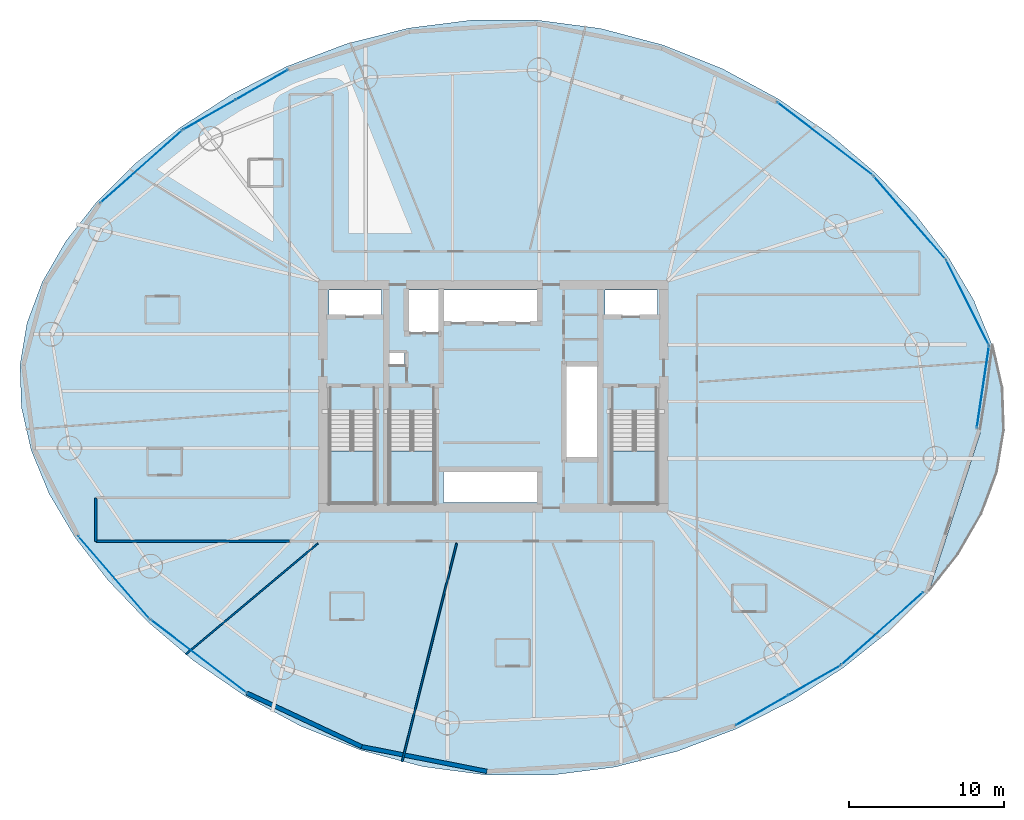
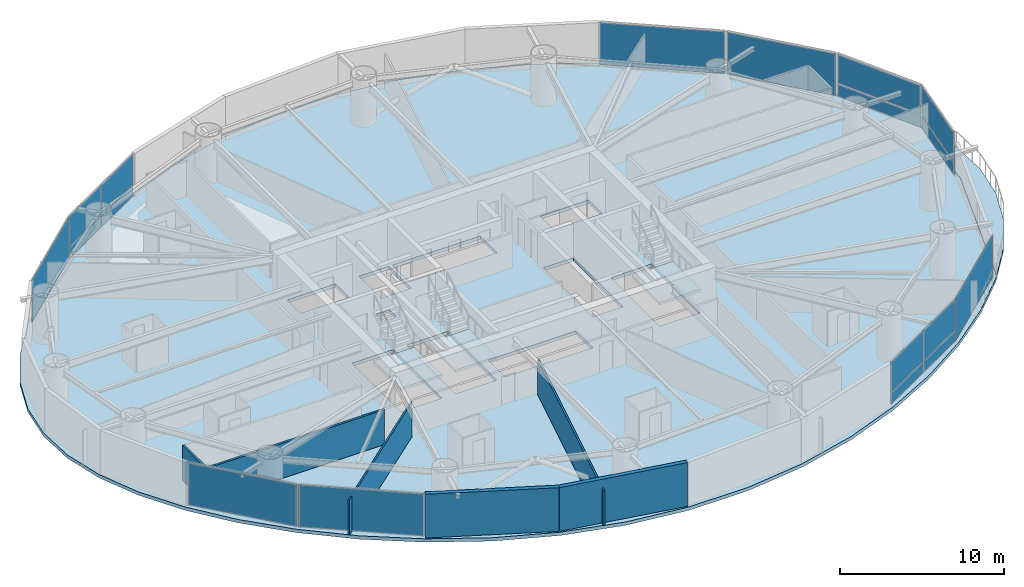
# One storey, part 18 of 26: 18 plates, 6 walls, 5 slabs, 13 elements without a shape of their own.
"""IFC4 building model written with IfcOpenShell, lengths in metres."""

import ifcopenshell
import ifcopenshell.guid

model = None  # the IFC model being written
_history = None  # IfcOwnerHistory: only IFC2X3 demands one
_inside = {}  # id of a spatial element -> (the spatial element, [elements in it])
_under = {}  # id of a project, library or spatial element -> (it, [spatial elements below it])
_declared = {}  # id of a project -> (the project, [libraries it declares])
_typed = {}  # id of a type object -> (the type object, [elements of that type])
_made_of = {}  # id of a material, layer set ... -> (it, [elements and type objects made of it])


def new_model(schema):
    """Start an empty IFC model of exactly this schema.

    Asked for "IFC4X3", IfcOpenShell would pick the latest addendum, in which some entities
    have other attributes; the version numbers below select the first issue.
    IFC2X3 requires an IfcOwnerHistory on every rooted entity: one is made here for all.
    """
    global model, _history
    if schema == "IFC4X3":
        model = ifcopenshell.file(schema_version=(4, 3, 0, 0))
    else:
        model = ifcopenshell.file(schema=schema)
    _inside.clear()
    _under.clear()
    _declared.clear()
    _typed.clear()
    _made_of.clear()
    _history = None
    if model.schema == "IFC2X3":
        org = make("IfcOrganization", Name="unknown")
        user = make(
            "IfcPersonAndOrganization",
            ThePerson=make("IfcPerson", FamilyName="unknown"),
            TheOrganization=org,
        )
        app = make(
            "IfcApplication",
            ApplicationDeveloper=org,
            Version="unknown",
            ApplicationFullName="unknown",
            ApplicationIdentifier="unknown",
        )
        _history = make(
            "IfcOwnerHistory",
            OwningUser=user,
            OwningApplication=app,
            ChangeAction="ADDED",
            CreationDate=0,
        )
    return model


def make(cls, **values):
    """One entity of the class cls with the attributes given. An attribute that is None is left unset."""
    return model.create_entity(
        cls, **{name: value for name, value in values.items() if value is not None}
    )


def rooted(cls, **values):
    """An entity with a GlobalId (a new one), such as an element, a storey or a relation."""
    return make(cls, GlobalId=ifcopenshell.guid.new(), OwnerHistory=_history, **values)


def si_unit(unit_type, name, prefix=None):
    """IfcSIUnit, for example si_unit("LENGTHUNIT", "METRE", prefix="MILLI")."""
    return make("IfcSIUnit", UnitType=unit_type, Prefix=prefix, Name=name)


def assignment(units):
    """IfcUnitAssignment: the units of a project."""
    return None if units is None else make("IfcUnitAssignment", Units=units)


def point(xyz):
    """IfcCartesianPoint."""
    return None if xyz is None else make("IfcCartesianPoint", Coordinates=xyz)


def direction(xyz):
    """IfcDirection."""
    return None if xyz is None else make("IfcDirection", DirectionRatios=xyz)


def frame(location, z_axis=None, x_axis=None):
    """IfcAxis2Placement3D, a coordinate frame: its origin and axes. An axis left out is left unset."""
    return make(
        "IfcAxis2Placement3D",
        Location=point(location),
        Axis=direction(z_axis),
        RefDirection=direction(x_axis),
    )


def frame_2d(location, x_axis=None):
    """IfcAxis2Placement2D, a coordinate frame in the plane: its origin and x axis."""
    return make(
        "IfcAxis2Placement2D", Location=point(location), RefDirection=direction(x_axis)
    )


def origin():
    """The frame at (0, 0, 0) with its axes left unset."""
    return frame((0.0, 0.0, 0.0))


def origin_2d():
    """The frame at (0, 0) in the plane with its x axis left unset."""
    return frame_2d((0.0, 0.0))


def place(relative_to, where):
    """IfcLocalPlacement: puts the frame where relative to a parent placement (None: the world)."""
    return make(
        "IfcLocalPlacement", PlacementRelTo=relative_to, RelativePlacement=where
    )


def context(
    kind, dimensions, precision=None, world=None, true_north=None, identifier=None
):
    """IfcGeometricRepresentationContext, for example the 3D "Model" context."""
    return make(
        "IfcGeometricRepresentationContext",
        ContextIdentifier=identifier,
        ContextType=kind,
        CoordinateSpaceDimension=dimensions,
        Precision=precision,
        WorldCoordinateSystem=world,
        TrueNorth=true_north,
    )


def subcontext(parent, identifier, kind, view, scale=None):
    """IfcGeometricRepresentationSubContext, for example "Body" below "Model"."""
    return make(
        "IfcGeometricRepresentationSubContext",
        ContextIdentifier=identifier,
        ContextType=kind,
        ParentContext=parent,
        TargetScale=scale,
        TargetView=view,
    )


def project(units=None, contexts=None):
    """IfcProject with its units and contexts."""
    return rooted(
        "IfcProject",
        Name="project",
        RepresentationContexts=contexts,
        UnitsInContext=assignment(units),
    )


def spatial(cls, under=None, at=None, **own):
    """A site, building, storey or space (cls), placed at a placement, below another one or the project."""
    s = rooted(cls, ObjectPlacement=at, **own)
    if under is not None:
        _under.setdefault(under.id(), (under, []))[1].append(s)
    return s


def polyline(points):
    """IfcPolyline through the points."""
    return make("IfcPolyline", Points=[point(p) for p in points])


def profile(cls, at=None, kind="AREA", **sizes):
    """A parametric profile (cls). Its sizes go by their IFC names, for example OverallWidth=200.0."""
    return make(cls, ProfileType=kind, Position=at, **sizes)


def rectangle(**sizes):
    """IfcRectangleProfileDef."""
    return profile("IfcRectangleProfileDef", **sizes)


def outline(outer, holes=None, kind="AREA"):
    """IfcArbitraryClosedProfileDef: a profile drawn as a closed curve; with holes, ...WithVoids."""
    if holes is None:
        return make("IfcArbitraryClosedProfileDef", ProfileType=kind, OuterCurve=outer)
    return make(
        "IfcArbitraryProfileDefWithVoids",
        ProfileType=kind,
        OuterCurve=outer,
        InnerCurves=holes,
    )


def extrude(swept, where, along, depth):
    """IfcExtrudedAreaSolid: the profile swept, set in the frame where, extruded along a direction by depth."""
    return make(
        "IfcExtrudedAreaSolid",
        SweptArea=swept,
        Position=where,
        ExtrudedDirection=direction(along),
        Depth=depth,
    )


def shape(context_of_items, identifier, shape_type, items):
    """IfcShapeRepresentation: the items that make up one representation, for example the "Body"."""
    return make(
        "IfcShapeRepresentation",
        ContextOfItems=context_of_items,
        RepresentationIdentifier=identifier,
        RepresentationType=shape_type,
        Items=items,
    )


def material(Name=None, Category=None):
    """IfcMaterial."""
    return make("IfcMaterial", Name=Name, Category=Category)


def layer(
    of_material, thickness, ventilated=None, Name=None, Category=None, Priority=None
):
    """IfcMaterialLayer: one layer of a wall or slab, of a material (None: an air gap)."""
    return make(
        "IfcMaterialLayer",
        Material=of_material,
        LayerThickness=thickness,
        IsVentilated=ventilated,
        Name=Name,
        Category=Category,
        Priority=Priority,
    )


def layer_set(layers, Name=None):
    """IfcMaterialLayerSet."""
    return make("IfcMaterialLayerSet", MaterialLayers=layers, LayerSetName=Name)


def made_of(thing, what):
    """Note that an element or type object is made of a material, layer set ...; save() writes the relation."""
    if what is not None:
        _made_of.setdefault(what.id(), (what, []))[1].append(thing)
    return thing


def type_object(cls, material=None, **own):
    """A type object (cls), such as IfcWallType, which elements share."""
    return made_of(rooted(cls, **own), material)


def element(
    cls,
    number,
    at=None,
    inside=None,
    cuts=None,
    type_object=None,
    material=None,
    context=None,
    identifier="Body",
    shape_type=None,
    held_by="IfcProductDefinitionShape",
    body=None,
    shapes=None,
    **own,
):
    """One element of the class cls, such as IfcWall. Its Tag is "e" and its number.

    at: its placement. inside: the storey or other place that contains it. cuts: it is an
    opening in that element (IfcRelVoidsElement). A single representation is given by context,
    identifier, shape_type and body (its items); several are given by shapes. held_by: the class
    of the entity that holds the representations. save() writes the other relations.
    """
    e = rooted(cls, Tag="e%d" % number, ObjectPlacement=at, **own)
    if body is not None:
        shapes = [shape(context, identifier, shape_type, body)]
    if shapes is not None:
        e.Representation = make(held_by, Representations=shapes)
    if inside is not None:
        _inside.setdefault(inside.id(), (inside, []))[1].append(e)
    if cuts is not None:
        rooted(
            "IfcRelVoidsElement", RelatingBuildingElement=cuts, RelatedOpeningElement=e
        )
    if type_object is not None:
        _typed.setdefault(type_object.id(), (type_object, []))[1].append(e)
    return made_of(e, material)


def aggregate(whole, parts):
    """IfcRelAggregates: a whole, such as a stair, and the parts it consists of."""
    return rooted("IfcRelAggregates", RelatingObject=whole, RelatedObjects=parts)


def save(model, path):
    """Write the relations noted so far, then the file.

    IfcRelAggregates (storeys below a building ...), IfcRelContainedInSpatialStructure (elements
    in a storey), IfcRelDefinesByType, IfcRelAssociatesMaterial and IfcRelDeclares: one each for
    every whole, place, type object, material and project.
    """
    for whole, parts in _under.values():
        aggregate(whole, parts)
    for where, things in _inside.values():
        rooted(
            "IfcRelContainedInSpatialStructure",
            RelatedElements=things,
            RelatingStructure=where,
        )
    for kind, things in _typed.values():
        rooted("IfcRelDefinesByType", RelatedObjects=things, RelatingType=kind)
    for what, things in _made_of.values():
        rooted("IfcRelAssociatesMaterial", RelatedObjects=things, RelatingMaterial=what)
    for by, libraries in _declared.values():
        rooted("IfcRelDeclares", RelatingContext=by, RelatedDefinitions=libraries)
    model.write(path)


model = new_model("IFC4")

# Units and contexts
model_context = context("Model", 3, precision=1e-05, world=origin(), true_north=direction((0.0, 1.0)))
body_context = subcontext(model_context, "Body", "Model", "MODEL_VIEW")
ifc_project = project(units=[si_unit("LENGTHUNIT", "METRE"), si_unit("AREAUNIT", "SQUARE_METRE"), si_unit("VOLUMEUNIT", "CUBIC_METRE"), si_unit("PLANEANGLEUNIT", "RADIAN"), si_unit("MASSUNIT", "GRAM", prefix="KILO")], contexts=[model_context])

# Site, building, storey
site_placement = place(None, origin())
site = spatial("IfcSite", under=ifc_project, at=site_placement, CompositionType="ELEMENT")
building_placement = place(site_placement, origin())
building = spatial("IfcBuilding", under=site, at=building_placement, Name="Bramvorn Convention Spire", CompositionType="ELEMENT")
storey_placement = place(building_placement, frame((0.0, 0.0, 51.89990234375)))
storey = spatial("IfcBuildingStorey", under=building, at=storey_placement, Name="L10", CompositionType="ELEMENT", Elevation=51.89990234375)

# Curtain wall, plate
ifc_material_1 = material(Name="Anodised Bronze Unitised Curtain Wall", Category="aluminium")
ifc_layer_1 = layer(ifc_material_1, 0.179931640625)
ifc_layer_set_1 = layer_set([ifc_layer_1], Name="Anodised Bronze Unitised Curtain Wall - CW-HTL-FRIT")
curtain_wall_type_1 = type_object("IfcCurtainWallType", Name="CW-HTL-FRIT", PredefinedType="USERDEFINED", material=ifc_layer_set_1)
curtain_wall_1_placement = place(storey_placement, origin())
curtain_wall_1 = element("IfcCurtainWall", 1, at=curtain_wall_1_placement, inside=storey, type_object=curtain_wall_type_1, Name="L10 fritted glass curtain wall 03", ObjectType="UNITISED CURTAIN WALL", PredefinedType="USERDEFINED")
ifc_material_2 = material(Name="Laminated Low-E Glass (Triple IGU Bronze Ceramic Frit 35%)", Category="glass")
ifc_layer_2 = layer(ifc_material_2, 0.035888671875)
ifc_layer_set_2 = layer_set([ifc_layer_2], Name="Laminated Low-E Glass (Triple IGU Bronze Ceramic Frit 35%) - PNL-IGU-1")
plate_type_1 = type_object("IfcPlateType", Name="PNL-IGU-1", PredefinedType="CURTAIN_PANEL", material=ifc_layer_set_2)
plate_1_placement = place(storey_placement, frame((64.86279296875, 37.52880859375, 0.06005859375), z_axis=(0.0, 0.0, 1.0), x_axis=(0.653910325597, -0.756572062713, 0.0)))
plate_1 = element("IfcPlate", 2, at=plate_1_placement, type_object=plate_type_1, Name="CW2 panel 1.1", PredefinedType="CURTAIN_PANEL", context=body_context, shape_type="SweptSolid", body=[
    extrude(rectangle(XDim=7.02294921875, YDim=0.028076171875, at=origin_2d()), origin(), (0.0, 0.0, 1.0), 3.1298828125),
])
aggregate(curtain_wall_1, [plate_1])

curtain_wall_2_placement = place(storey_placement, origin())
curtain_wall_2 = element("IfcCurtainWall", 3, at=curtain_wall_2_placement, inside=storey, type_object=curtain_wall_type_1, Name="L10 fritted glass curtain wall 04", ObjectType="UNITISED CURTAIN WALL", PredefinedType="USERDEFINED")
plate_2_placement = place(storey_placement, frame((59.407958984375, 42.608642578125, 0.06005859375), z_axis=(0.0, 0.0, 1.0), x_axis=(0.795291828189, -0.606226779363, 0.0)))
plate_2 = element("IfcPlate", 4, at=plate_2_placement, type_object=plate_type_1, Name="CW2 panel 1.1", PredefinedType="CURTAIN_PANEL", context=body_context, shape_type="SweptSolid", body=[
    extrude(rectangle(XDim=7.724853515625, YDim=0.028076171875, at=origin_2d()), origin(), (0.0, 0.0, 1.0), 3.1298828125),
])
aggregate(curtain_wall_2, [plate_2])

# Curtain wall, plates
curtain_wall_3_placement = place(storey_placement, origin())
curtain_wall_3 = element("IfcCurtainWall", 5, at=curtain_wall_3_placement, inside=storey, type_object=curtain_wall_type_1, Name="L10 fritted glass curtain wall 09", ObjectType="UNITISED CURTAIN WALL", PredefinedType="USERDEFINED")
plate_3_placement = place(storey_placement, frame((19.68115234375, 44.17041015625, 0.06005859375), z_axis=(0.0, 0.0, 1.0), x_axis=(0.868487781473, 0.495710574258, 0.0)))
plate_3 = element("IfcPlate", 6, at=plate_3_placement, type_object=plate_type_1, Name="CW2 panel 1.1", PredefinedType="CURTAIN_PANEL", context=body_context, shape_type="SweptSolid", body=[
    extrude(rectangle(XDim=3.83251953125, YDim=0.028076171875, at=origin_2d()), origin(), (0.0, 0.0, 1.0), 0.81005859375),
])
plate_4_placement = place(storey_placement, frame((19.68115234375, 44.17041015625, 0.93017578125), z_axis=(0.0, 0.0, 1.0), x_axis=(0.868487781473, 0.495710574258, 0.0)))
plate_4 = element("IfcPlate", 7, at=plate_4_placement, type_object=plate_type_1, Name="CW2 panel 1.2", PredefinedType="CURTAIN_PANEL", context=body_context, shape_type="SweptSolid", body=[
    extrude(rectangle(XDim=3.83251953125, YDim=0.028076171875, at=origin_2d()), origin(), (0.0, 0.0, 1.0), 2.260009765625),
])
plate_5_placement = place(storey_placement, frame((23.061767578125, 46.099853515625, 0.06005859375), z_axis=(0.0, 0.0, 1.0), x_axis=(0.868487781473, 0.495710574258, 0.0)))
plate_5 = element("IfcPlate", 8, at=plate_5_placement, type_object=plate_type_1, Name="CW2 panel 2.1", PredefinedType="CURTAIN_PANEL", context=body_context, shape_type="SweptSolid", body=[
    extrude(rectangle(XDim=3.83251953125, YDim=0.028076171875, at=origin_2d()), origin(), (0.0, 0.0, 1.0), 0.81005859375),
])
plate_6_placement = place(storey_placement, frame((23.061767578125, 46.099853515625, 0.93017578125), z_axis=(0.0, 0.0, 1.0), x_axis=(0.868487781473, 0.495710574258, 0.0)))
plate_6 = element("IfcPlate", 9, at=plate_6_placement, type_object=plate_type_1, Name="CW2 panel 2.2", PredefinedType="CURTAIN_PANEL", context=body_context, shape_type="SweptSolid", body=[
    extrude(rectangle(XDim=3.83251953125, YDim=0.028076171875, at=origin_2d()), origin(), (0.0, 0.0, 1.0), 2.260009765625),
])
aggregate(curtain_wall_3, [plate_3, plate_4, plate_5, plate_6])

# Curtain wall, plate
curtain_wall_4_placement = place(storey_placement, origin())
curtain_wall_4 = element("IfcCurtainWall", 10, at=curtain_wall_4_placement, inside=storey, type_object=curtain_wall_type_1, Name="L10 fritted glass curtain wall 10", ObjectType="UNITISED CURTAIN WALL", PredefinedType="USERDEFINED")
plate_7_placement = place(storey_placement, frame((15.29248046875, 40.8212890625, 0.06005859375), z_axis=(0.0, 0.0, 1.0), x_axis=(0.748226734816, 0.6634431048, 0.0)))
plate_7 = element("IfcPlate", 11, at=plate_7_placement, type_object=plate_type_1, Name="CW2 panel 1.1", PredefinedType="CURTAIN_PANEL", context=body_context, shape_type="SweptSolid", body=[
    extrude(rectangle(XDim=7.02294921875, YDim=0.028076171875, at=origin_2d()), origin(), (0.0, 0.0, 1.0), 3.1298828125),
])
aggregate(curtain_wall_4, [plate_7])

curtain_wall_5_placement = place(storey_placement, origin())
curtain_wall_5 = element("IfcCurtainWall", 12, at=curtain_wall_5_placement, inside=storey, type_object=curtain_wall_type_1, Name="L10 fritted glass curtain wall 15", ObjectType="UNITISED CURTAIN WALL", PredefinedType="USERDEFINED")
plate_8_placement = place(storey_placement, frame((13.53173828125, 14.312255859375, 0.06005859375), z_axis=(0.0, 0.0, 1.0), x_axis=(-0.653902311882, 0.756578988947, 0.0)))
plate_8 = element("IfcPlate", 13, at=plate_8_placement, type_object=plate_type_1, Name="CW2 panel 1.1", PredefinedType="CURTAIN_PANEL", context=body_context, shape_type="SweptSolid", body=[
    extrude(rectangle(XDim=7.022705078125, YDim=0.028076171875, at=origin_2d()), origin(), (0.0, 0.0, 1.0), 3.1298828125),
])
aggregate(curtain_wall_5, [plate_8])

curtain_wall_6_placement = place(storey_placement, origin())
curtain_wall_6 = element("IfcCurtainWall", 14, at=curtain_wall_6_placement, inside=storey, type_object=curtain_wall_type_1, Name="L10 fritted glass curtain wall 16", ObjectType="UNITISED CURTAIN WALL", PredefinedType="USERDEFINED")
plate_9_placement = place(storey_placement, frame((18.98681640625, 9.232177734375, 0.06005859375), z_axis=(0.0, 0.0, 1.0), x_axis=(-0.795291828189, 0.606226779363, 0.0)))
plate_9 = element("IfcPlate", 15, at=plate_9_placement, type_object=plate_type_1, Name="CW2 panel 1.1", PredefinedType="CURTAIN_PANEL", context=body_context, shape_type="SweptSolid", body=[
    extrude(rectangle(XDim=7.724853515625, YDim=0.028076171875, at=origin_2d()), origin(), (0.0, 0.0, 1.0), 3.1298828125),
])
aggregate(curtain_wall_6, [plate_9])

# Curtain wall, plates
curtain_wall_7_placement = place(storey_placement, origin())
curtain_wall_7 = element("IfcCurtainWall", 16, at=curtain_wall_7_placement, inside=storey, type_object=curtain_wall_type_1, Name="L10 fritted glass curtain wall 21", ObjectType="UNITISED CURTAIN WALL", PredefinedType="USERDEFINED")
plate_10_placement = place(storey_placement, frame((58.713623046875, 7.670654296875, 0.06005859375), z_axis=(0.0, 0.0, 1.0), x_axis=(-0.868479161079, -0.495725676934, 0.0)))
plate_10 = element("IfcPlate", 17, at=plate_10_placement, type_object=plate_type_1, Name="CW2 panel 1.1", PredefinedType="CURTAIN_PANEL", context=body_context, shape_type="SweptSolid", body=[
    extrude(rectangle(XDim=3.83251953125, YDim=0.028076171875, at=origin_2d()), origin(), (0.0, 0.0, 1.0), 0.81005859375),
])
plate_11_placement = place(storey_placement, frame((58.713623046875, 7.670654296875, 0.93017578125), z_axis=(0.0, 0.0, 1.0), x_axis=(-0.868479161079, -0.495725676934, 0.0)))
plate_11 = element("IfcPlate", 18, at=plate_11_placement, type_object=plate_type_1, Name="CW2 panel 1.2", PredefinedType="CURTAIN_PANEL", context=body_context, shape_type="SweptSolid", body=[
    extrude(rectangle(XDim=3.83251953125, YDim=0.028076171875, at=origin_2d()), origin(), (0.0, 0.0, 1.0), 2.260009765625),
])
plate_12_placement = place(storey_placement, frame((55.3330078125, 5.740966796875, 0.06005859375), z_axis=(0.0, 0.0, 1.0), x_axis=(-0.868479161079, -0.495725676934, 0.0)))
plate_12 = element("IfcPlate", 19, at=plate_12_placement, type_object=plate_type_1, Name="CW2 panel 2.1", PredefinedType="CURTAIN_PANEL", context=body_context, shape_type="SweptSolid", body=[
    extrude(rectangle(XDim=3.83251953125, YDim=0.028076171875, at=origin_2d()), origin(), (0.0, 0.0, 1.0), 0.81005859375),
])
plate_13_placement = place(storey_placement, frame((55.3330078125, 5.740966796875, 0.93017578125), z_axis=(0.0, 0.0, 1.0), x_axis=(-0.868479161079, -0.495725676934, 0.0)))
plate_13 = element("IfcPlate", 20, at=plate_13_placement, type_object=plate_type_1, Name="CW2 panel 2.2", PredefinedType="CURTAIN_PANEL", context=body_context, shape_type="SweptSolid", body=[
    extrude(rectangle(XDim=3.83251953125, YDim=0.028076171875, at=origin_2d()), origin(), (0.0, 0.0, 1.0), 2.260009765625),
])
aggregate(curtain_wall_7, [plate_10, plate_11, plate_12, plate_13])

# Curtain wall, plate
curtain_wall_8_placement = place(storey_placement, origin())
curtain_wall_8 = element("IfcCurtainWall", 21, at=curtain_wall_8_placement, inside=storey, type_object=curtain_wall_type_1, Name="L10 fritted glass curtain wall 22", ObjectType="UNITISED CURTAIN WALL", PredefinedType="USERDEFINED")
plate_14_placement = place(storey_placement, frame((63.10205078125, 11.019775390625, 0.06005859375), z_axis=(0.0, 0.0, 1.0), x_axis=(-0.748226734816, -0.6634431048, 0.0)))
plate_14 = element("IfcPlate", 22, at=plate_14_placement, type_object=plate_type_1, Name="CW2 panel 1.1", PredefinedType="CURTAIN_PANEL", context=body_context, shape_type="SweptSolid", body=[
    extrude(rectangle(XDim=7.02294921875, YDim=0.028076171875, at=origin_2d()), origin(), (0.0, 0.0, 1.0), 3.1298828125),
])
aggregate(curtain_wall_8, [plate_14])

# Curtain wall, plates
ifc_layer_3 = layer(ifc_material_1, 0.219970703125)
ifc_layer_set_3 = layer_set([ifc_layer_3], Name="Anodised Bronze Unitised Curtain Wall - CW-SKYGARDEN")
curtain_wall_type_2 = type_object("IfcCurtainWallType", Name="CW-SKYGARDEN", PredefinedType="USERDEFINED", material=ifc_layer_set_3)
curtain_wall_9_placement = place(storey_placement, origin())
curtain_wall_9 = element("IfcCurtainWall", 23, at=curtain_wall_9_placement, inside=storey, type_object=curtain_wall_type_2, Name="L10 Sky Garden glazed facade 01", ObjectType="WINTER GARDEN GLAZING", PredefinedType="USERDEFINED")
ifc_material_3 = material(Name="Laminated Low-E Glass (Acoustic Laminated Podium Triple IGU)", Category="glass")
ifc_layer_4 = layer(ifc_material_3, 0.0458984375)
ifc_layer_set_4 = layer_set([ifc_layer_4], Name="Laminated Low-E Glass (Acoustic Laminated Podium Triple IGU) - PNL-IGU-5")
plate_type_2 = type_object("IfcPlateType", Name="PNL-IGU-5", PredefinedType="CURTAIN_PANEL", material=ifc_layer_set_4)
plate_15_placement = place(storey_placement, frame((69.590576171875, 26.603271484375, 0.06005859375), z_axis=(0.0, 0.0, 1.0), x_axis=(-0.14824011192, -0.988951398815, 0.0)))
plate_15 = element("IfcPlate", 24, at=plate_15_placement, type_object=plate_type_2, Name="CW4 panel 1.1", PredefinedType="CURTAIN_PANEL", context=body_context, shape_type="SweptSolid", body=[
    extrude(rectangle(XDim=5.28955078125, YDim=0.028076171875, at=origin_2d()), origin(), (0.0, 0.0, 1.0), 0.909912109375),
])
plate_16_placement = place(storey_placement, frame((69.590576171875, 26.603271484375, 1.0302734375), z_axis=(0.0, 0.0, 1.0), x_axis=(-0.14824011192, -0.988951398815, 0.0)))
plate_16 = element("IfcPlate", 25, at=plate_16_placement, type_object=plate_type_2, Name="CW4 panel 1.2", PredefinedType="CURTAIN_PANEL", context=body_context, shape_type="SweptSolid", body=[
    extrude(rectangle(XDim=5.28955078125, YDim=0.028076171875, at=origin_2d()), origin(), (0.0, 0.0, 1.0), 2.159912109375),
])
aggregate(curtain_wall_9, [plate_15, plate_16])

curtain_wall_10_placement = place(storey_placement, origin())
curtain_wall_10 = element("IfcCurtainWall", 26, at=curtain_wall_10_placement, inside=storey, type_object=curtain_wall_type_2, Name="L10 Sky Garden glazed facade 02", ObjectType="WINTER GARDEN GLAZING", PredefinedType="USERDEFINED")
plate_17_placement = place(storey_placement, frame((68.594970703125, 32.052490234375, 0.06005859375), z_axis=(0.0, 0.0, 1.0), x_axis=(0.449645938805, -0.893206879573, 0.0)))
plate_17 = element("IfcPlate", 27, at=plate_17_placement, type_object=plate_type_2, Name="CW4 panel 1.1", PredefinedType="CURTAIN_PANEL", context=body_context, shape_type="SweptSolid", body=[
    extrude(rectangle(XDim=6.092041015625, YDim=0.028076171875, at=origin_2d()), origin(), (0.0, 0.0, 1.0), 0.909912109375),
])
plate_18_placement = place(storey_placement, frame((68.594970703125, 32.052490234375, 1.0302734375), z_axis=(0.0, 0.0, 1.0), x_axis=(0.449645938805, -0.893206879573, 0.0)))
plate_18 = element("IfcPlate", 28, at=plate_18_placement, type_object=plate_type_2, Name="CW4 panel 1.2", PredefinedType="CURTAIN_PANEL", context=body_context, shape_type="SweptSolid", body=[
    extrude(rectangle(XDim=6.092041015625, YDim=0.028076171875, at=origin_2d()), origin(), (0.0, 0.0, 1.0), 2.159912109375),
])
aggregate(curtain_wall_10, [plate_17, plate_18])

# Slab
ifc_material_4 = material(Name="Concrete C40/50 Sky-Garden Terrace Slab", Category="concrete")
ifc_layer_5 = layer(ifc_material_4, 0.260009765625)
ifc_layer_set_5 = layer_set([ifc_layer_5], Name="Concrete C40/50 Sky-Garden Terrace Slab - SLB-SKYGARDEN-260")
slab_type_1 = type_object("IfcSlabType", Name="SLB-SKYGARDEN-260", PredefinedType="FLOOR", material=ifc_layer_set_5)
slab_1_placement = place(storey_placement, frame((0.0, 0.0, -0.260009765625)))
element("IfcSlab", 29, at=slab_1_placement, inside=storey, type_object=slab_type_1, Name="L10 planted double-height Sky Garden terrace slab", PredefinedType="FLOOR", context=body_context, shape_type="SweptSolid", body=[
    extrude(outline(polyline([(70.20703125, 29.31689453125), (69.836181640625, 26.52880859375), (69.410888671875, 23.913818359375), (69.41015625, 23.61669921875), (66.12158203125, 13.479736328125), (67.971435546875, 15.831787109375), (69.485595703125, 18.45263671875), (70.4755859375, 21.114990234375), (70.927490234375, 23.81298828125), (70.83642578125, 26.546875), (70.20703125, 29.31689453125)])), origin(), (0.0, 0.0, 1.0), 0.260009765625),
])

# Stair, slab
ifc_material_5 = material(Name="Concrete C40/50 Precast Stair", Category="concrete")
stair_type = type_object("IfcStairType", Name="ST-TOWER-1550", PredefinedType="HALF_TURN_STAIR", material=ifc_material_5)
stair_1_placement = place(storey_placement, origin())
stair_1 = element("IfcStair", 30, at=stair_1_placement, inside=storey, type_object=stair_type, Name="L10 Protected Exit Stair ST1", PredefinedType="HALF_TURN_STAIR")
ifc_material_6 = material(Name="Concrete C40/50 Stair Landing", Category="concrete")
ifc_layer_6 = layer(ifc_material_6, 0.219970703125)
ifc_layer_set_6 = layer_set([ifc_layer_6], Name="Concrete C40/50 Stair Landing - SLB-STAIR-LANDING")
slab_type_2 = type_object("IfcSlabType", Name="SLB-STAIR-LANDING", PredefinedType="LANDING", material=ifc_layer_set_6)
slab_2_placement = place(storey_placement, frame((0.0, 0.0, 1.550048828125)))
slab_2 = element("IfcSlab", 31, at=slab_2_placement, type_object=slab_type_2, Name="ST1 landing 1", PredefinedType="LANDING", context=body_context, shape_type="SweptSolid", body=[
    extrude(outline(polyline([(27.449951171875, 22.485107421875), (27.449951171875, 19.10009765625), (30.35009765625, 19.10009765625), (30.35009765625, 22.485107421875), (27.449951171875, 22.485107421875)])), origin(), (0.0, 0.0, 1.0), 0.199951171875),
])
aggregate(stair_1, [slab_2])

stair_2_placement = place(storey_placement, origin())
stair_2 = element("IfcStair", 32, at=stair_2_placement, inside=storey, type_object=stair_type, Name="L10 Protected Exit Stair ST2", PredefinedType="HALF_TURN_STAIR")
slab_3_placement = place(storey_placement, frame((0.0, 0.0, 1.550048828125)))
slab_3 = element("IfcSlab", 33, at=slab_3_placement, type_object=slab_type_2, Name="ST2 landing 1", PredefinedType="LANDING", context=body_context, shape_type="SweptSolid", body=[
    extrude(outline(polyline([(45.64990234375, 22.485107421875), (45.64990234375, 19.10009765625), (48.550048828125, 19.10009765625), (48.550048828125, 22.485107421875), (45.64990234375, 22.485107421875)])), origin(), (0.0, 0.0, 1.0), 0.199951171875),
])
aggregate(stair_2, [slab_3])

stair_3_placement = place(storey_placement, origin())
stair_3 = element("IfcStair", 34, at=stair_3_placement, inside=storey, type_object=stair_type, Name="L10 Protected Exit Stair ST3", PredefinedType="HALF_TURN_STAIR")
slab_4_placement = place(storey_placement, frame((0.0, 0.0, 1.550048828125)))
slab_4 = element("IfcSlab", 35, at=slab_4_placement, type_object=slab_type_2, Name="ST3 landing 1", PredefinedType="LANDING", context=body_context, shape_type="SweptSolid", body=[
    extrude(outline(polyline([(31.300048828125, 22.485107421875), (31.300048828125, 19.10009765625), (34.199951171875, 19.10009765625), (34.199951171875, 22.485107421875), (31.300048828125, 22.485107421875)])), origin(), (0.0, 0.0, 1.0), 0.199951171875),
])
aggregate(stair_3, [slab_4])

# Slab
ifc_material_7 = material(Name="Concrete C50/60", Category="concrete")
ifc_layer_7 = layer(ifc_material_7, 0.25)
ifc_layer_set_7 = layer_set([ifc_layer_7], Name="Concrete C50/60 - SLB-Z1-250")
slab_type_3 = type_object("IfcSlabType", Name="SLB-Z1-250", PredefinedType="FLOOR", material=ifc_layer_set_7)
slab_5_placement = place(storey_placement, frame((0.0, 0.0, -0.25)))
element("IfcSlab", 36, at=slab_5_placement, inside=storey, type_object=slab_type_3, Name="L10 tower floor slab", PredefinedType="FLOOR", context=body_context, shape_type="SweptSolid", body=[
    extrude(outline(polyline([(65.95751953125, 13.271240234375), (63.4775390625, 10.804931640625), (60.57470703125, 8.48486328125), (57.300537109375, 6.376708984375), (53.71337890625, 4.556396484375), (49.8779296875, 3.101806640625), (45.86279296875, 2.083984375), (41.7392578125, 1.560302734375), (37.57958984375, 1.566162109375), (33.4560546875, 2.110595703125), (29.43798828125, 3.1748046875), (25.5927734375, 4.714599609375), (21.9833984375, 6.663818359375), (18.66845703125, 8.942626953125), (15.70166015625, 11.465087890625), (13.13134765625, 14.14892578125), (10.99951171875, 16.92138671875), (9.341796875, 19.72607421875), (8.187744140625, 22.524169921875), (7.558349609375, 25.2939453125), (7.46728515625, 28.028076171875), (7.919189453125, 30.725830078125), (8.9091796875, 33.38818359375), (10.42333984375, 36.009033203125), (12.437255859375, 38.56982421875), (14.9169921875, 41.035888671875), (17.81982421875, 43.356201171875), (21.09423828125, 45.464111328125), (24.681396484375, 47.284423828125), (28.516845703125, 48.7392578125), (32.531982421875, 49.757080078125), (36.655517578125, 50.280517578125), (40.81494140625, 50.27490234375), (44.938720703125, 49.73046875), (48.956787109375, 48.666015625), (52.802001953125, 47.126220703125), (56.411376953125, 45.177001953125), (59.726318359375, 42.898193359375), (62.693115234375, 40.375732421875), (65.263427734375, 37.69189453125), (67.3955078125, 34.91943359375), (69.052978515625, 32.114990234375), (69.060546875, 32.096435546875), (69.034423828125, 32.107421875), (70.1865234375, 29.314208984375), (69.826416015625, 26.5302734375), (69.39111328125, 23.9169921875), (69.400390625, 23.619140625), (66.103759765625, 13.45703125), (65.95751953125, 13.271240234375)]), holes=[polyline([(27.449951171875, 25.050048828125), (27.449951171875, 19.10009765625), (30.35009765625, 19.10009765625), (30.35009765625, 25.050048828125), (27.449951171875, 25.050048828125)]), polyline([(45.64990234375, 25.050048828125), (45.64990234375, 19.10009765625), (48.550048828125, 19.10009765625), (48.550048828125, 25.050048828125), (45.64990234375, 25.050048828125)]), polyline([(31.300048828125, 25.050048828125), (31.300048828125, 19.10009765625), (34.199951171875, 19.10009765625), (34.199951171875, 25.050048828125), (31.300048828125, 25.050048828125)]), polyline([(27.39990234375, 31.219970703125), (30.800048828125, 31.219970703125), (30.800048828125, 32.85009765625), (27.39990234375, 32.85009765625), (27.39990234375, 31.219970703125)]), polyline([(45.199951171875, 31.219970703125), (48.60009765625, 31.219970703125), (48.60009765625, 32.85009765625), (45.199951171875, 32.85009765625), (45.199951171875, 31.219970703125)]), polyline([(32.449951171875, 30.14990234375), (34.56005859375, 30.14990234375), (34.56005859375, 32.85009765625), (32.449951171875, 32.85009765625), (32.449951171875, 30.14990234375)]), polyline([(34.800048828125, 30.800048828125), (40.97998046875, 30.800048828125), (40.97998046875, 32.85009765625), (34.800048828125, 32.85009765625), (34.800048828125, 30.800048828125)]), polyline([(34.800048828125, 19.14990234375), (40.97998046875, 19.14990234375), (40.97998046875, 21.199951171875), (34.800048828125, 21.199951171875), (34.800048828125, 19.14990234375)]), polyline([(42.6201171875, 22.0), (44.75, 22.0), (44.75, 28.0), (42.6201171875, 28.0), (42.6201171875, 22.0)]), polyline([(31.320068359375, 28.02001953125), (32.280029296875, 28.02001953125), (32.280029296875, 28.820068359375), (31.320068359375, 28.820068359375), (31.320068359375, 28.02001953125)])]), origin(), (0.0, 0.0, 1.0), 0.25),
])

# Walls
ifc_material_8 = material(Name="Precast Concrete C40/50 with Bronze Terracotta Rainscreen", Category="masonry")
ifc_layer_8 = layer(ifc_material_8, 0.300048828125)
ifc_layer_set_8 = layer_set([ifc_layer_8], Name="Precast Concrete C40/50 with Bronze Terracotta Rainscreen - WL-EXT-BRONZE-300")
wall_type_1 = type_object("IfcWallType", Name="WL-EXT-BRONZE-300", PredefinedType="SOLIDWALL", material=ifc_layer_set_8)
wall_1_placement = place(storey_placement, frame((29.510009765625, 3.39794921875, 0.0), z_axis=(0.0, 0.0, 1.0), x_axis=(-0.906127407847, 0.423004870833, 0.0)))
element("IfcWall", 37, at=wall_1_placement, inside=storey, type_object=wall_type_1, Name="L10 expressed bronze Gothic lancet pier wall 17", PredefinedType="SOLIDWALL", context=body_context, shape_type="SweptSolid", body=[
    extrude(rectangle(XDim=8.1708984375, YDim=0.280029296875, at=frame_2d((4.08544921875, 0.0))), origin(), (0.0, 0.0, 1.0), 3.25),
])
wall_2_placement = place(storey_placement, frame((37.595458984375, 1.80322265625, 0.0), z_axis=(0.0, 0.0, 1.0), x_axis=(-0.981099048481, 0.19350621972, 0.0)))
element("IfcWall", 38, at=wall_2_placement, inside=storey, type_object=wall_type_1, Name="L10 expressed bronze Gothic lancet pier wall 18", PredefinedType="SOLIDWALL", context=body_context, shape_type="SweptSolid", body=[
    extrude(rectangle(XDim=8.2412109375, YDim=0.280029296875, at=frame_2d((4.12060546875, 0.0))), origin(), (0.0, 0.0, 1.0), 3.25),
])
ifc_material_9 = material(Name="Lightweight En-Suite & Wet-Wall Partition", Category="gypsum")
ifc_layer_9 = layer(ifc_material_9, 0.110107421875)
ifc_layer_set_9 = layer_set([ifc_layer_9], Name="Lightweight En-Suite & Wet-Wall Partition - WL-PART-110")
wall_type_2 = type_object("IfcWallType", Name="WL-PART-110", PredefinedType="PARTITIONING", material=ifc_layer_set_9)
wall_3_placement = place(storey_placement, frame((26.690185546875, 16.510009765625, 0.0), z_axis=(0.0, 0.0, 1.0), x_axis=(-0.766039528177, -0.642793467041, 0.0)))
element("IfcWall", 39, at=wall_3_placement, inside=storey, type_object=wall_type_2, Name="L10 Guestroom demising wall 7", PredefinedType="PARTITIONING", context=body_context, shape_type="SweptSolid", body=[
    extrude(rectangle(XDim=11.148681640625, YDim=0.110107421875, at=frame_2d((5.57421875, 0.0))), origin(), (0.0, 0.0, 1.0), 2.60009765625),
])
wall_4_placement = place(storey_placement, frame((35.6337890625, 16.510009765625, 0.0), z_axis=(0.0, 0.0, 1.0), x_axis=(-0.241925920225, -0.970294722815, 0.0)))
element("IfcWall", 40, at=wall_4_placement, inside=storey, type_object=wall_type_2, Name="L10 Guestroom demising wall 8", PredefinedType="PARTITIONING", context=body_context, shape_type="SweptSolid", body=[
    extrude(rectangle(XDim=14.5107421875, YDim=0.110107421875, at=frame_2d((7.25537109375, 0.0))), origin(), (0.0, 0.0, 1.0), 2.60009765625),
])
ifc_material_10 = material(Name="Acoustic Metal-Stud Tenant/Corridor Partition", Category="gypsum")
ifc_layer_10 = layer(ifc_material_10, 0.14990234375)
ifc_layer_set_10 = layer_set([ifc_layer_10], Name="Acoustic Metal-Stud Tenant/Corridor Partition - WL-PART-150")
wall_type_3 = type_object("IfcWallType", Name="WL-PART-150", PredefinedType="PARTITIONING", material=ifc_layer_set_10)
wall_5_placement = place(storey_placement, frame((12.35546875, 16.64990234375, 0.0), z_axis=(0.0, 0.0, 1.0), x_axis=(1.0, 0.0, 0.0)))
element("IfcWall", 41, at=wall_5_placement, inside=storey, type_object=wall_type_3, Name="L10 SW pinwheel wing south wall", PredefinedType="PARTITIONING", context=body_context, shape_type="SweptSolid", body=[
    extrude(rectangle(XDim=12.49462890625, YDim=0.14990234375, at=frame_2d((6.247314453125, 0.0))), origin(), (0.0, 0.0, 1.0), 2.60009765625),
])
wall_6_placement = place(storey_placement, frame((12.35546875, 16.64990234375, 0.0), z_axis=(0.0, 0.0, 1.0), x_axis=(0.0, 1.0, 0.0)))
element("IfcWall", 42, at=wall_6_placement, inside=storey, type_object=wall_type_3, Name="L10 SW pinwheel end wall", PredefinedType="PARTITIONING", context=body_context, shape_type="SweptSolid", body=[
    extrude(rectangle(XDim=2.800048828125, YDim=0.14990234375, at=frame_2d((1.39990234375, 0.0))), origin(), (0.0, 0.0, 1.0), 2.60009765625),
])

save(model, "model.ifc")
